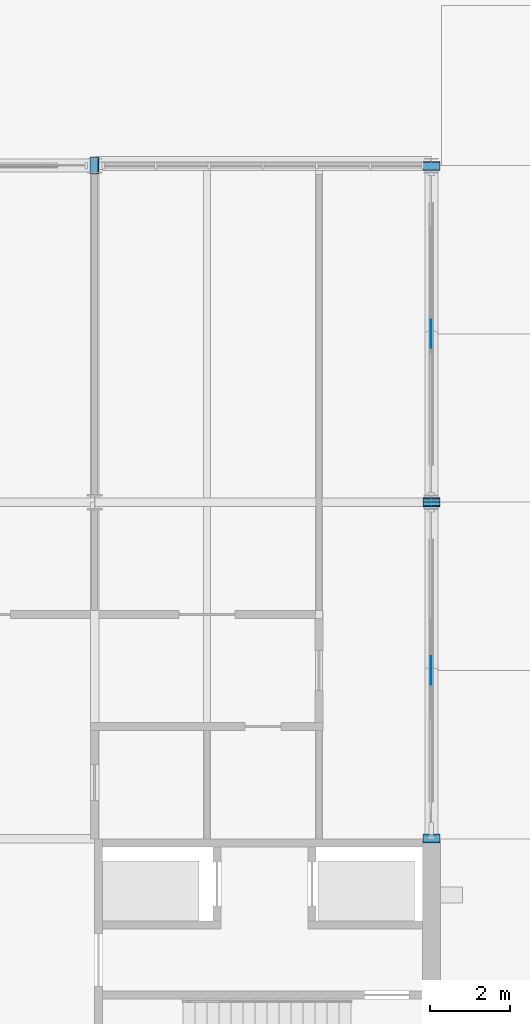
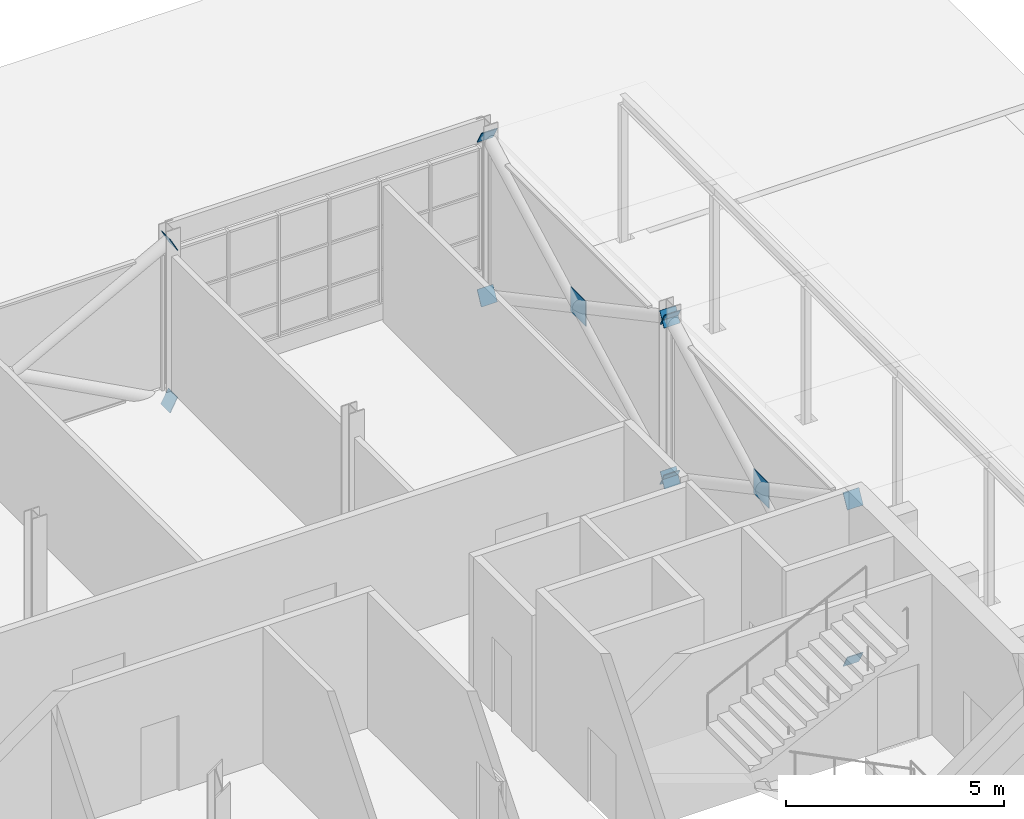
# One storey, part 109 of 116: 12 discrete accessories.
"""IFC4 building model written with IfcOpenShell, lengths in metres."""

from ifc_helpers import new_model, si_unit, direction, frame, origin, origin_2d, place, context, subcontext, project, spatial, rectangle, extrude, material, material_profile, profile_set, type_object, element, save


model = new_model("IFC4")

# Units and contexts
model_context = context("Model", 3, precision=1e-05, world=origin(), true_north=direction((0.0, 1.0)))
body_context = subcontext(model_context, "Body", "Model", "MODEL_VIEW")
ifc_project = project(units=[si_unit("LENGTHUNIT", "METRE"), si_unit("AREAUNIT", "SQUARE_METRE"), si_unit("VOLUMEUNIT", "CUBIC_METRE"), si_unit("PLANEANGLEUNIT", "RADIAN"), si_unit("MASSUNIT", "GRAM", prefix="KILO")], contexts=[model_context])

# Site, building, storey
site_placement = place(None, origin())
site = spatial("IfcSite", under=ifc_project, at=site_placement, CompositionType="ELEMENT")
building_placement = place(site_placement, origin())
building = spatial("IfcBuilding", under=site, at=building_placement, Name="Ardhachandra Cancer Care Centre", CompositionType="ELEMENT")
storey_placement = place(building_placement, origin())
storey = spatial("IfcBuildingStorey", under=building, at=storey_placement, Name="L00", CompositionType="ELEMENT", Elevation=0.0)

# Discrete accessories
ifc_material_1 = material(Name="Steel E250 (IS 2062)", Category="steel")
ifc_material_profile_1 = material_profile(ifc_material_1, rectangle(XDim=0.423828125, YDim=0.423828125, at=origin_2d()), Name="PL 424x424x20")
ifc_profile_set_1 = profile_set([ifc_material_profile_1], Name="Steel E250 (IS 2062)")
discrete_accessory_type_1 = type_object("IfcDiscreteAccessoryType", Name="Brace end plate 424 x 424 x 20", PredefinedType="BRACKET", material=ifc_profile_set_1)
discrete_accessory_1_placement = place(storey_placement, frame((136.800048828125, 105.0, 4.10009765625), z_axis=(-0.879291966537, 0.0, -0.476283148541), x_axis=(0.0, -1.0, 0.0)))
element("IfcDiscreteAccessory", 1, at=discrete_accessory_1_placement, inside=storey, type_object=discrete_accessory_type_1, Name="Brace end plate V5-X1050-1284 L00 A1", PredefinedType="BRACKET", context=body_context, shape_type="SweptSolid", body=[
    extrude(rectangle(XDim=0.423828125, YDim=0.423828125, at=origin_2d()), origin(), (0.0, 0.0, 1.0), 0.02001953125),
])
for number, where, z_axis, x_axis, name in (
    (2, (136.800048828125, 105.0, -0.39990234375), (-0.884384752847, 0.0, 0.466758619558), (0.0, -1.0, 0.0), "Brace end plate V5-X1050-1284 L00 B10"),
    (3, (145.199951171875, 88.199951171875, -0.39990234375), (0.0, 0.884384752847, 0.466758619558), (-1.0, 0.0, 0.0), "Brace end plate V5-Y1452-882 L00 A0"),
):
    element("IfcDiscreteAccessory", number, at=place(storey_placement, frame(where, z_axis=z_axis, x_axis=x_axis)), inside=storey, type_object=discrete_accessory_type_1, Name=name, PredefinedType="BRACKET", context=body_context, shape_type="SweptSolid", body=[
        extrude(rectangle(XDim=0.423828125, YDim=0.423828125, at=origin_2d()), origin(), (0.0, 0.0, 1.0), 0.019775390625),
    ])
discrete_accessory_2_placement = place(storey_placement, frame((145.199951171875, 96.60009765625, 4.10009765625), z_axis=(0.0, -0.882018256262, -0.471215232798), x_axis=(1.0, 0.0, 0.0)))
element("IfcDiscreteAccessory", 4, at=discrete_accessory_2_placement, inside=storey, type_object=discrete_accessory_type_1, Name="Brace end plate V5-Y1452-882 L00 A1", PredefinedType="BRACKET", context=body_context, shape_type="SweptSolid", body=[
    extrude(rectangle(XDim=0.423828125, YDim=0.423828125, at=origin_2d()), origin(), (0.0, 0.0, 1.0), 0.020263671875),
])
for number, where, z_axis, x_axis, name in (
    (5, (145.199951171875, 96.60009765625, -0.39990234375), (0.0, -0.887017774073, 0.461735279655), (1.0, 0.0, 0.0), "Brace end plate V5-Y1452-882 L00 B10"),
    (6, (145.199951171875, 88.199951171875, 4.10009765625), (0.0, 0.879291966537, -0.476283148541), (-1.0, 0.0, 0.0), "Brace end plate V5-Y1452-882 L00 B21"),
):
    element("IfcDiscreteAccessory", number, at=place(storey_placement, frame(where, z_axis=z_axis, x_axis=x_axis)), inside=storey, type_object=discrete_accessory_type_1, Name=name, PredefinedType="BRACKET", context=body_context, shape_type="SweptSolid", body=[
        extrude(rectangle(XDim=0.423828125, YDim=0.423828125, at=origin_2d()), origin(), (0.0, 0.0, 1.0), 0.02001953125),
    ])
discrete_accessory_3_placement = place(storey_placement, frame((145.199951171875, 96.60009765625, -0.39990234375), z_axis=(0.0, 0.884384752847, 0.466758619558), x_axis=(-1.0, 0.0, 0.0)))
element("IfcDiscreteAccessory", 7, at=discrete_accessory_3_placement, inside=storey, type_object=discrete_accessory_type_1, Name="Brace end plate V5-Y1452-966 L00 A0", PredefinedType="BRACKET", context=body_context, shape_type="SweptSolid", body=[
    extrude(rectangle(XDim=0.423828125, YDim=0.423828125, at=origin_2d()), origin(), (0.0, 0.0, 1.0), 0.019775390625),
])
discrete_accessory_4_placement = place(storey_placement, frame((145.199951171875, 105.0, 4.10009765625), z_axis=(0.0, -0.879291966537, -0.476283148541), x_axis=(1.0, 0.0, 0.0)))
element("IfcDiscreteAccessory", 8, at=discrete_accessory_4_placement, inside=storey, type_object=discrete_accessory_type_1, Name="Brace end plate V5-Y1452-966 L00 A1", PredefinedType="BRACKET", context=body_context, shape_type="SweptSolid", body=[
    extrude(rectangle(XDim=0.423828125, YDim=0.423828125, at=origin_2d()), origin(), (0.0, 0.0, 1.0), 0.02001953125),
])
discrete_accessory_5_placement = place(storey_placement, frame((145.199951171875, 105.0, -0.39990234375), z_axis=(0.0, -0.884384752847, 0.466758619558), x_axis=(1.0, 0.0, 0.0)))
element("IfcDiscreteAccessory", 9, at=discrete_accessory_5_placement, inside=storey, type_object=discrete_accessory_type_1, Name="Brace end plate V5-Y1452-966 L00 B10", PredefinedType="BRACKET", context=body_context, shape_type="SweptSolid", body=[
    extrude(rectangle(XDim=0.423828125, YDim=0.423828125, at=origin_2d()), origin(), (0.0, 0.0, 1.0), 0.019775390625),
])
discrete_accessory_6_placement = place(storey_placement, frame((145.199951171875, 96.60009765625, 4.10009765625), z_axis=(0.0, 0.879291966537, -0.476283148541), x_axis=(-1.0, 0.0, 0.0)))
element("IfcDiscreteAccessory", 10, at=discrete_accessory_6_placement, inside=storey, type_object=discrete_accessory_type_1, Name="Brace end plate V5-Y1452-966 L00 B21", PredefinedType="BRACKET", context=body_context, shape_type="SweptSolid", body=[
    extrude(rectangle(XDim=0.423828125, YDim=0.423828125, at=origin_2d()), origin(), (0.0, 0.0, 1.0), 0.02001953125),
])
ifc_material_2 = material(Name="Steel E250 (IS 2062)", Category="steel")
ifc_material_profile_2 = material_profile(ifc_material_2, rectangle(XDim=0.699951171875, YDim=0.699951171875, at=origin_2d()), Name="PL 700x700x20")
ifc_profile_set_2 = profile_set([ifc_material_profile_2], Name="Steel E250 (IS 2062)")
discrete_accessory_type_2 = type_object("IfcDiscreteAccessoryType", Name="Brace node plate 700 x 700 x 20", PredefinedType="BRACKET", material=ifc_profile_set_2)
for number, where, z_axis, x_axis, name in (
    (11, (145.18994140625, 92.39990234375, 1.85009765625), (1.0, 0.0, 0.0), (0.0, 1.0, 0.0), "Brace node plate V5-Y1452-882 L00"),
    (12, (145.18994140625, 100.800048828125, 1.85009765625), (1.0, 0.0, 0.0), (0.0, 1.0, 0.0), "Brace node plate V5-Y1452-966 L00"),
):
    element("IfcDiscreteAccessory", number, at=place(storey_placement, frame(where, z_axis=z_axis, x_axis=x_axis)), inside=storey, type_object=discrete_accessory_type_2, Name=name, PredefinedType="BRACKET", context=body_context, shape_type="SweptSolid", body=[
        extrude(rectangle(XDim=0.699951171875, YDim=0.699951171875, at=origin_2d()), origin(), (0.0, 0.0, 1.0), 0.02001953125),
    ])

save(model, "model.ifc")
